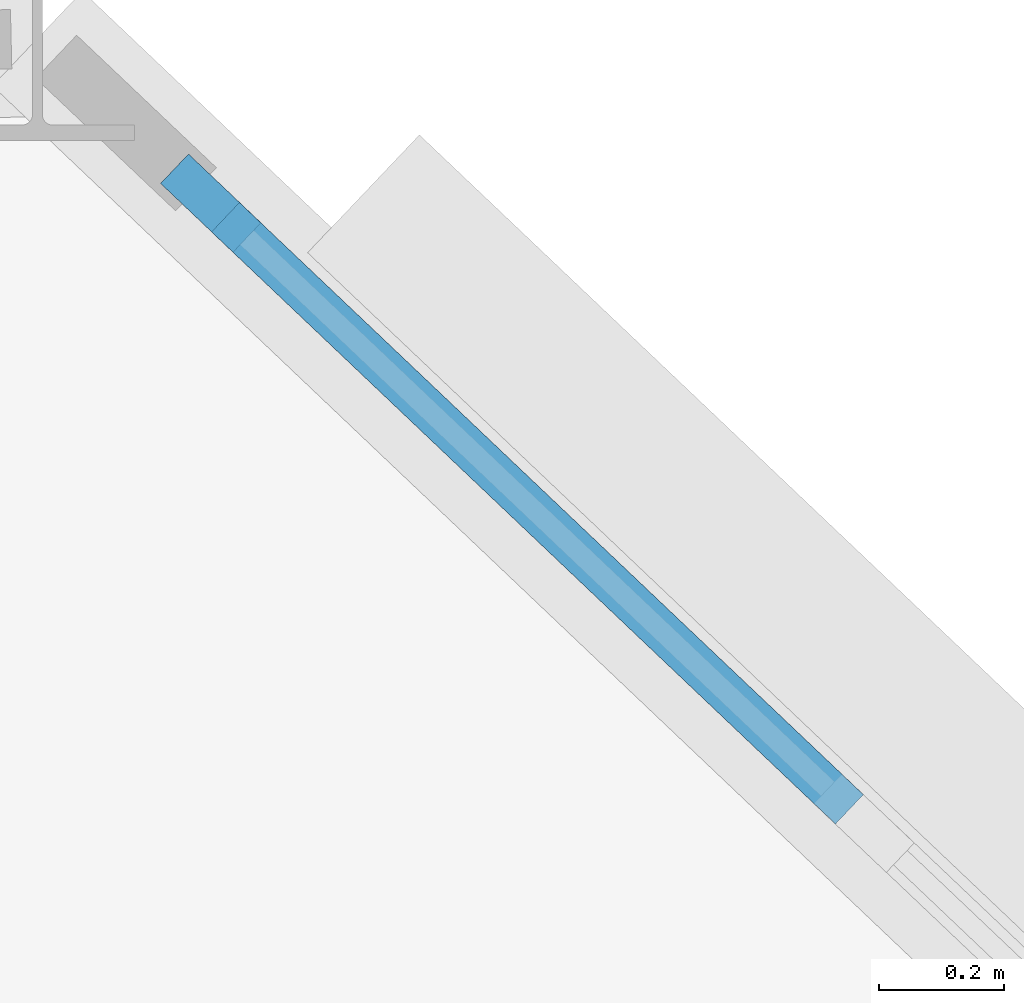
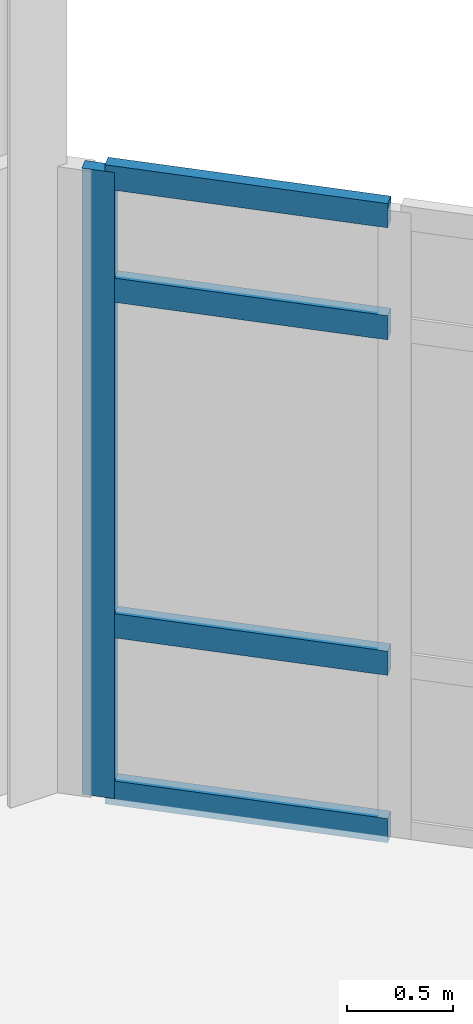
# One storey, part 41 of 114: 5 members, 1 element without a shape of its own.
"""IFC4 building model written with IfcOpenShell, lengths in metres."""

from ifc_helpers import new_model, si_unit, direction, frame, origin, origin_2d, place, context, subcontext, project, spatial, rectangle, extrude, material, material_profile, profile_set, type_object, element, aggregate, save


model = new_model("IFC4")

# Units and contexts
model_context = context("Model", 3, precision=1e-05, world=origin(), true_north=direction((0.0, 1.0)))
body_context = subcontext(model_context, "Body", "Model", "MODEL_VIEW")
ifc_project = project(units=[si_unit("LENGTHUNIT", "METRE"), si_unit("AREAUNIT", "SQUARE_METRE"), si_unit("VOLUMEUNIT", "CUBIC_METRE"), si_unit("PLANEANGLEUNIT", "RADIAN"), si_unit("MASSUNIT", "GRAM", prefix="KILO")], contexts=[model_context])

# Site, building, storey
site_placement = place(None, origin())
site = spatial("IfcSite", under=ifc_project, at=site_placement, CompositionType="ELEMENT")
building_placement = place(site_placement, origin())
building = spatial("IfcBuilding", under=site, at=building_placement, Name="Tameran Prism Museum", CompositionType="ELEMENT")
storey_placement = place(building_placement, frame((0.0, 0.0, 10.199951171875)))
storey = spatial("IfcBuildingStorey", under=building, at=storey_placement, Name="L02", CompositionType="ELEMENT", Elevation=10.199951171875)

# Curtain wall, members
ifc_material_1 = material(Name="Anodised Aluminium 6063-T6 and Cyclone Solar Glass", Category="aluminium")
curtain_wall_type = type_object("IfcCurtainWallType", Name="CW-FAC-738x362", PredefinedType="USERDEFINED", material=ifc_material_1)
curtain_wall_placement = place(storey_placement, origin())
curtain_wall = element("IfcCurtainWall", 1, at=curtain_wall_placement, inside=storey, type_object=curtain_wall_type, Name="Unitised Curtain Wall CW-111", ObjectType="UNITISED CURTAIN WALL", PredefinedType="USERDEFINED")
ifc_material_2 = material(Name="Anodised Aluminium Alloy 6063-T6", Category="aluminium")
ifc_material_profile_1 = material_profile(ifc_material_2, rectangle(XDim=0.06494140625, YDim=0.159912109375, at=origin_2d()))
ifc_profile_set_1 = profile_set([ifc_material_profile_1])
member_type_1 = type_object("IfcMemberType", Name="CW-MUL-A", PredefinedType="MULLION", material=ifc_profile_set_1)
member_1_placement = place(storey_placement, frame((96.07763671875, 48.336669921875, 0.0), z_axis=(0.0, 0.0, 1.0), x_axis=(0.688425100987, 0.725307438491, 0.0)))
member_1 = element("IfcMember", 2, at=member_1_placement, type_object=member_type_1, Name="CW-111 mullion 1", PredefinedType="MULLION", context=body_context, shape_type="SweptSolid", body=[
    extrude(rectangle(XDim=0.06494140625, YDim=0.159912109375, at=origin_2d()), origin(), (0.0, 0.0, 1.0), 3.6201171875),
])
ifc_material_3 = material(Name="Anodised Aluminium Alloy 6063-T6", Category="aluminium")
ifc_material_profile_2 = material_profile(ifc_material_3, rectangle(XDim=0.06494140625, YDim=0.139892578125, at=origin_2d()))
ifc_profile_set_2 = profile_set([ifc_material_profile_2])
member_type_2 = type_object("IfcMemberType", Name="CW-TRN-A", PredefinedType="USERDEFINED", material=ifc_profile_set_2)
member_2_placement = place(storey_placement, frame((96.10107421875, 48.314208984375, 0.032470703125), z_axis=(0.725384279452, -0.688344134227, 0.0), x_axis=(0.688344134227, 0.725384279452, 0.0)))
member_2 = element("IfcMember", 3, at=member_2_placement, type_object=member_type_2, Name="CW-111 transom 1.1", ObjectType="TRANSOM", PredefinedType="USERDEFINED", context=body_context, shape_type="SweptSolid", body=[
    extrude(rectangle(XDim=0.06494140625, YDim=0.139892578125, at=origin_2d()), origin(), (0.0, 0.0, 1.0), 1.377685546875),
])
member_3_placement = place(storey_placement, frame((96.10107421875, 48.314208984375, 1.0), z_axis=(0.725384279452, -0.688344134227, 0.0), x_axis=(0.688344134227, 0.725384279452, 0.0)))
member_3 = element("IfcMember", 4, at=member_3_placement, type_object=member_type_2, Name="CW-111 transom 1.2", ObjectType="TRANSOM", PredefinedType="USERDEFINED", context=body_context, shape_type="SweptSolid", body=[
    extrude(rectangle(XDim=0.06494140625, YDim=0.139892578125, at=origin_2d()), origin(), (0.0, 0.0, 1.0), 1.377685546875),
])
member_4_placement = place(storey_placement, frame((96.10107421875, 48.314208984375, 2.93994140625), z_axis=(0.725384279452, -0.688344134227, 0.0), x_axis=(0.688344134227, 0.725384279452, 0.0)))
member_4 = element("IfcMember", 5, at=member_4_placement, type_object=member_type_2, Name="CW-111 transom 1.3", ObjectType="TRANSOM", PredefinedType="USERDEFINED", context=body_context, shape_type="SweptSolid", body=[
    extrude(rectangle(XDim=0.06494140625, YDim=0.139892578125, at=origin_2d()), origin(), (0.0, 0.0, 1.0), 1.377685546875),
])
member_5_placement = place(storey_placement, frame((96.10107421875, 48.314208984375, 3.587646484375), z_axis=(0.725384279452, -0.688344134227, 0.0), x_axis=(0.688344134227, 0.725384279452, 0.0)))
member_5 = element("IfcMember", 6, at=member_5_placement, type_object=member_type_2, Name="CW-111 transom 1.4", ObjectType="TRANSOM", PredefinedType="USERDEFINED", context=body_context, shape_type="SweptSolid", body=[
    extrude(rectangle(XDim=0.06494140625, YDim=0.139892578125, at=origin_2d()), origin(), (0.0, 0.0, 1.0), 1.377685546875),
])
aggregate(curtain_wall, [member_1, member_2, member_3, member_4, member_5])

save(model, "model.ifc")
